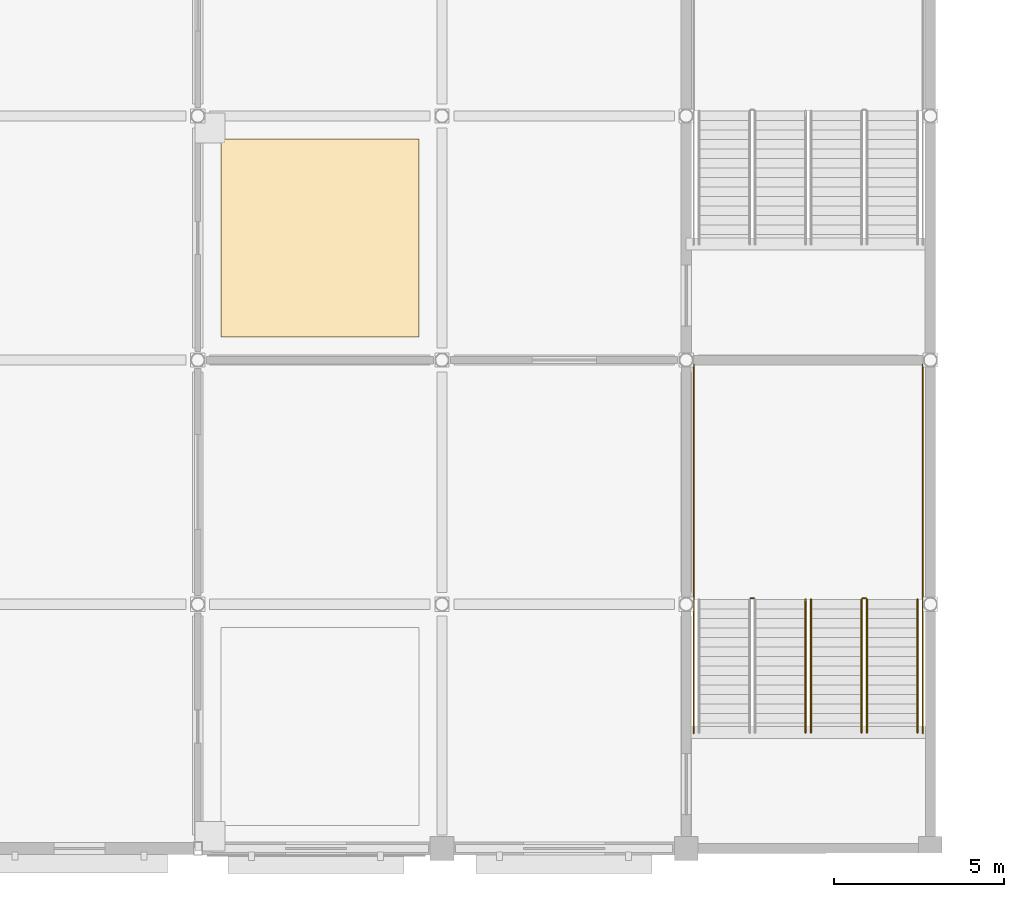
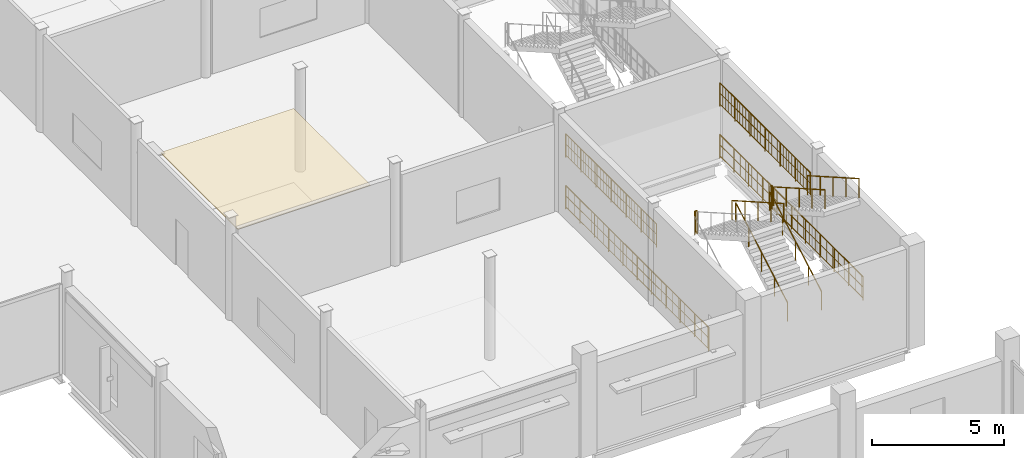
# One storey, part 118 of 120: 11 railings, 1 covering.
"""IFC4 building model written with IfcOpenShell, lengths in metres."""

from ifc_helpers import new_model, si_unit, direction, frame, origin, origin_2d, place, context, subcontext, project, spatial, polyline, circle, outline, extrude, material, layer, layer_set, type_object, element, save


model = new_model("IFC4")

# Units and contexts
model_context = context("Model", 3, precision=1e-05, world=origin(), true_north=direction((0.0, 1.0)))
body_context = subcontext(model_context, "Body", "Model", "MODEL_VIEW")
ifc_project = project(units=[si_unit("LENGTHUNIT", "METRE"), si_unit("AREAUNIT", "SQUARE_METRE"), si_unit("VOLUMEUNIT", "CUBIC_METRE"), si_unit("PLANEANGLEUNIT", "RADIAN"), si_unit("MASSUNIT", "GRAM", prefix="KILO")], contexts=[model_context])

# Site, building, storey
site_placement = place(None, origin())
site = spatial("IfcSite", under=ifc_project, at=site_placement, CompositionType="ELEMENT")
building_placement = place(site_placement, origin())
building = spatial("IfcBuilding", under=site, at=building_placement, Name="Vesperath Aquatics Centre", CompositionType="ELEMENT")
storey_placement = place(building_placement, frame((0.0, 0.0, 10.199951171875)))
storey = spatial("IfcBuildingStorey", under=building, at=storey_placement, Name="L02", CompositionType="ELEMENT", Elevation=10.199951171875)

# Covering
ifc_material_1 = material(Name="Perforated moisture-resistant acoustic mineral-fibre ceiling", Category="gypsum")
ifc_layer = layer(ifc_material_1, 0.044921875)
ifc_layer_set = layer_set([ifc_layer], Name="Perforated moisture-resistant acoustic mineral-fibre ceiling")
covering_type = type_object("IfcCoveringType", Name="CV-CLG01", PredefinedType="CEILING", material=ifc_layer_set)
covering_placement = place(storey_placement, frame((0.0, 0.0, 3.425048828125)))
element("IfcCovering", 1, at=covering_placement, inside=storey, type_object=covering_type, Name="Acoustic Suspended Ceiling CLG1 L02_CLUB_2", PredefinedType="CEILING", context=body_context, shape_type="SweptSolid", body=[
    extrude(outline(polyline([(151.8798828125, 65.47998046875), (157.719970703125, 65.47998046875), (157.719970703125, 71.320068359375), (151.8798828125, 71.320068359375), (151.8798828125, 65.47998046875)])), origin(), (0.0, 0.0, 1.0), 0.044921875),
])

# Railings
ifc_material_2 = material(Name="Powder-coated galvanized steel safety guard", Category="steel")
railing_type_1 = type_object("IfcRailingType", Name="RL-GRD01", PredefinedType="GUARDRAIL", material=ifc_material_2)
railing_1_placement = place(storey_placement, frame((167.5, 57.780029296875, 2.400146484375)))
element("IfcRailing", 2, at=railing_1_placement, inside=storey, type_object=railing_type_1, Name="Stair ST12A Half-Landing Slot Guard GR02 L02", PredefinedType="GUARDRAIL", context=body_context, shape_type="SweptSolid", body=[
    extrude(circle(Radius=0.02392578125, at=origin_2d()), frame((0.0, 0.0, 1.0859375), z_axis=(1.0, 0.0, 0.0), x_axis=(0.0, 1.0, 0.0)), (0.0, 0.0, 1.0), 0.10009765625),
    extrude(circle(Radius=0.01611328125, at=origin_2d()), frame((0.0, 0.0, 0.10009765625), z_axis=(1.0, 0.0, 0.0), x_axis=(0.0, 1.0, 0.0)), (0.0, 0.0, 1.0), 0.10009765625),
    extrude(circle(Radius=0.01611328125, at=origin_2d()), frame((0.0, 0.0, 0.610595703125), z_axis=(1.0, 0.0, 0.0), x_axis=(0.0, 1.0, 0.0)), (0.0, 0.0, 1.0), 0.10009765625),
    extrude(circle(Radius=0.009033203125, at=origin_2d()), frame((0.050048828125, 0.0, 0.10009765625)), (0.0, 0.0, 1.0), 0.9619140625),
    extrude(circle(Radius=0.02197265625, at=origin_2d()), origin(), (0.0, 0.0, 1.0), 1.0859375),
    extrude(circle(Radius=0.02197265625, at=origin_2d()), frame((0.10009765625, 0.0, 0.0)), (0.0, 0.0, 1.0), 1.0859375),
])
railing_2_placement = place(storey_placement, frame((165.820068359375, 57.780029296875, 2.400146484375)))
element("IfcRailing", 3, at=railing_2_placement, inside=storey, type_object=railing_type_1, Name="Stair ST12A Half-Landing Wall Guard GR02 L02", PredefinedType="GUARDRAIL", context=body_context, shape_type="SweptSolid", body=[
    extrude(circle(Radius=0.02392578125, at=origin_2d()), frame((0.0, 0.0, 1.0859375), z_axis=(0.0, 1.0, 0.0), x_axis=(-1.0, 0.0, 0.0)), (0.0, 0.0, 1.0), 6.889892578125),
    extrude(circle(Radius=0.01611328125, at=origin_2d()), frame((0.0, 0.0, 0.10009765625), z_axis=(0.0, 1.0, 0.0), x_axis=(-1.0, 0.0, 0.0)), (0.0, 0.0, 1.0), 6.889892578125),
    extrude(circle(Radius=0.01611328125, at=origin_2d()), frame((0.0, 0.0, 0.610595703125), z_axis=(0.0, 1.0, 0.0), x_axis=(-1.0, 0.0, 0.0)), (0.0, 0.0, 1.0), 6.889892578125),
    extrude(circle(Radius=0.009033203125, at=origin_2d()), frame((0.0, 0.109375, 0.10009765625)), (0.0, 0.0, 1.0), 0.9619140625),
    extrude(circle(Radius=0.009033203125, at=origin_2d()), frame((0.0, 0.328125, 0.10009765625)), (0.0, 0.0, 1.0), 0.9619140625),
    extrude(circle(Radius=0.009033203125, at=origin_2d()), frame((0.0, 0.546875, 0.10009765625)), (0.0, 0.0, 1.0), 0.9619140625),
    extrude(circle(Radius=0.009033203125, at=origin_2d()), frame((0.0, 0.765625, 0.10009765625)), (0.0, 0.0, 1.0), 0.9619140625),
    extrude(circle(Radius=0.009033203125, at=origin_2d()), frame((0.0, 0.984375, 0.10009765625)), (0.0, 0.0, 1.0), 0.9619140625),
    extrude(circle(Radius=0.009033203125, at=origin_2d()), frame((0.0, 1.202880859375, 0.10009765625)), (0.0, 0.0, 1.0), 0.9619140625),
    extrude(circle(Radius=0.009033203125, at=origin_2d()), frame((0.0, 1.421630859375, 0.10009765625)), (0.0, 0.0, 1.0), 0.9619140625),
    extrude(circle(Radius=0.009033203125, at=origin_2d()), frame((0.0, 1.640380859375, 0.10009765625)), (0.0, 0.0, 1.0), 0.9619140625),
    extrude(circle(Radius=0.009033203125, at=origin_2d()), frame((0.0, 1.859130859375, 0.10009765625)), (0.0, 0.0, 1.0), 0.9619140625),
    extrude(circle(Radius=0.009033203125, at=origin_2d()), frame((0.0, 2.077880859375, 0.10009765625)), (0.0, 0.0, 1.0), 0.9619140625),
    extrude(circle(Radius=0.009033203125, at=origin_2d()), frame((0.0, 2.296630859375, 0.10009765625)), (0.0, 0.0, 1.0), 0.9619140625),
    extrude(circle(Radius=0.009033203125, at=origin_2d()), frame((0.0, 2.515380859375, 0.10009765625)), (0.0, 0.0, 1.0), 0.9619140625),
    extrude(circle(Radius=0.009033203125, at=origin_2d()), frame((0.0, 2.734130859375, 0.10009765625)), (0.0, 0.0, 1.0), 0.9619140625),
    extrude(circle(Radius=0.009033203125, at=origin_2d()), frame((0.0, 2.952880859375, 0.10009765625)), (0.0, 0.0, 1.0), 0.9619140625),
    extrude(circle(Radius=0.009033203125, at=origin_2d()), frame((0.0, 3.171630859375, 0.10009765625)), (0.0, 0.0, 1.0), 0.9619140625),
    extrude(circle(Radius=0.009033203125, at=origin_2d()), frame((0.0, 3.390380859375, 0.10009765625)), (0.0, 0.0, 1.0), 0.9619140625),
    extrude(circle(Radius=0.009033203125, at=origin_2d()), frame((0.0, 3.60888671875, 0.10009765625)), (0.0, 0.0, 1.0), 0.9619140625),
    extrude(circle(Radius=0.009033203125, at=origin_2d()), frame((0.0, 3.82763671875, 0.10009765625)), (0.0, 0.0, 1.0), 0.9619140625),
    extrude(circle(Radius=0.009033203125, at=origin_2d()), frame((0.0, 4.04638671875, 0.10009765625)), (0.0, 0.0, 1.0), 0.9619140625),
    extrude(circle(Radius=0.009033203125, at=origin_2d()), frame((0.0, 4.26513671875, 0.10009765625)), (0.0, 0.0, 1.0), 0.9619140625),
    extrude(circle(Radius=0.009033203125, at=origin_2d()), frame((0.0, 4.48388671875, 0.10009765625)), (0.0, 0.0, 1.0), 0.9619140625),
    extrude(circle(Radius=0.009033203125, at=origin_2d()), frame((0.0, 4.70263671875, 0.10009765625)), (0.0, 0.0, 1.0), 0.9619140625),
    extrude(circle(Radius=0.009033203125, at=origin_2d()), frame((0.0, 4.92138671875, 0.10009765625)), (0.0, 0.0, 1.0), 0.9619140625),
    extrude(circle(Radius=0.009033203125, at=origin_2d()), frame((0.0, 5.14013671875, 0.10009765625)), (0.0, 0.0, 1.0), 0.9619140625),
    extrude(circle(Radius=0.009033203125, at=origin_2d()), frame((0.0, 5.35888671875, 0.10009765625)), (0.0, 0.0, 1.0), 0.9619140625),
    extrude(circle(Radius=0.009033203125, at=origin_2d()), frame((0.0, 5.57763671875, 0.10009765625)), (0.0, 0.0, 1.0), 0.9619140625),
    extrude(circle(Radius=0.009033203125, at=origin_2d()), frame((0.0, 5.796142578125, 0.10009765625)), (0.0, 0.0, 1.0), 0.9619140625),
    extrude(circle(Radius=0.009033203125, at=origin_2d()), frame((0.0, 6.014892578125, 0.10009765625)), (0.0, 0.0, 1.0), 0.9619140625),
    extrude(circle(Radius=0.009033203125, at=origin_2d()), frame((0.0, 6.233642578125, 0.10009765625)), (0.0, 0.0, 1.0), 0.9619140625),
    extrude(circle(Radius=0.009033203125, at=origin_2d()), frame((0.0, 6.452392578125, 0.10009765625)), (0.0, 0.0, 1.0), 0.9619140625),
    extrude(circle(Radius=0.009033203125, at=origin_2d()), frame((0.0, 6.671142578125, 0.10009765625)), (0.0, 0.0, 1.0), 0.9619140625),
    extrude(circle(Radius=0.02197265625, at=origin_2d()), origin(), (0.0, 0.0, 1.0), 1.0859375),
    extrude(circle(Radius=0.02197265625, at=origin_2d()), frame((0.0, 1.1484375, 0.0)), (0.0, 0.0, 1.0), 1.0859375),
    extrude(circle(Radius=0.02197265625, at=origin_2d()), frame((0.0, 2.296630859375, 0.0)), (0.0, 0.0, 1.0), 1.0859375),
    extrude(circle(Radius=0.02197265625, at=origin_2d()), frame((0.0, 3.44482421875, 0.0)), (0.0, 0.0, 1.0), 1.0859375),
    extrude(circle(Radius=0.02197265625, at=origin_2d()), frame((0.0, 4.59326171875, 0.0)), (0.0, 0.0, 1.0), 1.0859375),
    extrude(circle(Radius=0.02197265625, at=origin_2d()), frame((0.0, 5.74169921875, 0.0)), (0.0, 0.0, 1.0), 1.0859375),
    extrude(circle(Radius=0.02197265625, at=origin_2d()), frame((0.0, 6.889892578125, 0.0)), (0.0, 0.0, 1.0), 1.0859375),
])
railing_3_placement = place(storey_placement, frame((165.820068359375, 53.800048828125, 0.0)))
element("IfcRailing", 4, at=railing_3_placement, inside=storey, type_object=railing_type_1, Name="Stair ST12A Shaft Side Guard GR02 L02", PredefinedType="GUARDRAIL", context=body_context, shape_type="SweptSolid", body=[
    extrude(circle(Radius=0.02392578125, at=origin_2d()), frame((0.0, 0.0, 1.0859375), z_axis=(0.0, 1.0, 0.0), x_axis=(-1.0, 0.0, 0.0)), (0.0, 0.0, 1.0), 10.869873046875),
    extrude(circle(Radius=0.01611328125, at=origin_2d()), frame((0.0, 0.0, 0.10009765625), z_axis=(0.0, 1.0, 0.0), x_axis=(-1.0, 0.0, 0.0)), (0.0, 0.0, 1.0), 10.869873046875),
    extrude(circle(Radius=0.01611328125, at=origin_2d()), frame((0.0, 0.0, 0.610595703125), z_axis=(0.0, 1.0, 0.0), x_axis=(-1.0, 0.0, 0.0)), (0.0, 0.0, 1.0), 10.869873046875),
    extrude(circle(Radius=0.009033203125, at=origin_2d()), frame((0.0, 0.10986328125, 0.10009765625)), (0.0, 0.0, 1.0), 0.9619140625),
    extrude(circle(Radius=0.009033203125, at=origin_2d()), frame((0.0, 0.549072265625, 0.10009765625)), (0.0, 0.0, 1.0), 0.9619140625),
    extrude(circle(Radius=0.009033203125, at=origin_2d()), frame((0.0, 0.98828125, 0.10009765625)), (0.0, 0.0, 1.0), 0.9619140625),
    extrude(circle(Radius=0.009033203125, at=origin_2d()), frame((0.0, 1.42724609375, 0.10009765625)), (0.0, 0.0, 1.0), 0.9619140625),
    extrude(circle(Radius=0.009033203125, at=origin_2d()), frame((0.0, 1.866455078125, 0.10009765625)), (0.0, 0.0, 1.0), 0.9619140625),
    extrude(circle(Radius=0.009033203125, at=origin_2d()), frame((0.0, 2.3056640625, 0.10009765625)), (0.0, 0.0, 1.0), 0.9619140625),
    extrude(circle(Radius=0.009033203125, at=origin_2d()), frame((0.0, 2.744873046875, 0.10009765625)), (0.0, 0.0, 1.0), 0.9619140625),
    extrude(circle(Radius=0.009033203125, at=origin_2d()), frame((0.0, 3.18408203125, 0.10009765625)), (0.0, 0.0, 1.0), 0.9619140625),
    extrude(circle(Radius=0.009033203125, at=origin_2d()), frame((0.0, 3.623291015625, 0.10009765625)), (0.0, 0.0, 1.0), 0.9619140625),
    extrude(circle(Radius=0.009033203125, at=origin_2d()), frame((0.0, 4.0625, 0.10009765625)), (0.0, 0.0, 1.0), 0.9619140625),
    extrude(circle(Radius=0.009033203125, at=origin_2d()), frame((0.0, 4.501708984375, 0.10009765625)), (0.0, 0.0, 1.0), 0.9619140625),
    extrude(circle(Radius=0.009033203125, at=origin_2d()), frame((0.0, 4.94091796875, 0.10009765625)), (0.0, 0.0, 1.0), 0.9619140625),
    extrude(circle(Radius=0.009033203125, at=origin_2d()), frame((0.0, 5.380126953125, 0.10009765625)), (0.0, 0.0, 1.0), 0.9619140625),
    extrude(circle(Radius=0.009033203125, at=origin_2d()), frame((0.0, 5.8193359375, 0.10009765625)), (0.0, 0.0, 1.0), 0.9619140625),
    extrude(circle(Radius=0.009033203125, at=origin_2d()), frame((0.0, 6.25830078125, 0.10009765625)), (0.0, 0.0, 1.0), 0.9619140625),
    extrude(circle(Radius=0.009033203125, at=origin_2d()), frame((0.0, 6.697509765625, 0.10009765625)), (0.0, 0.0, 1.0), 0.9619140625),
    extrude(circle(Radius=0.009033203125, at=origin_2d()), frame((0.0, 7.13671875, 0.10009765625)), (0.0, 0.0, 1.0), 0.9619140625),
    extrude(circle(Radius=0.009033203125, at=origin_2d()), frame((0.0, 7.575927734375, 0.10009765625)), (0.0, 0.0, 1.0), 0.9619140625),
    extrude(circle(Radius=0.009033203125, at=origin_2d()), frame((0.0, 8.01513671875, 0.10009765625)), (0.0, 0.0, 1.0), 0.9619140625),
    extrude(circle(Radius=0.009033203125, at=origin_2d()), frame((0.0, 8.454345703125, 0.10009765625)), (0.0, 0.0, 1.0), 0.9619140625),
    extrude(circle(Radius=0.009033203125, at=origin_2d()), frame((0.0, 8.8935546875, 0.10009765625)), (0.0, 0.0, 1.0), 0.9619140625),
    extrude(circle(Radius=0.009033203125, at=origin_2d()), frame((0.0, 9.332763671875, 0.10009765625)), (0.0, 0.0, 1.0), 0.9619140625),
    extrude(circle(Radius=0.009033203125, at=origin_2d()), frame((0.0, 9.77197265625, 0.10009765625)), (0.0, 0.0, 1.0), 0.9619140625),
    extrude(circle(Radius=0.009033203125, at=origin_2d()), frame((0.0, 10.211181640625, 0.10009765625)), (0.0, 0.0, 1.0), 0.9619140625),
    extrude(circle(Radius=0.009033203125, at=origin_2d()), frame((0.0, 10.650390625, 0.10009765625)), (0.0, 0.0, 1.0), 0.9619140625),
    extrude(circle(Radius=0.02197265625, at=origin_2d()), origin(), (0.0, 0.0, 1.0), 1.0859375),
    extrude(circle(Radius=0.02197265625, at=origin_2d()), frame((0.0, 1.0869140625, 0.0)), (0.0, 0.0, 1.0), 1.0859375),
    extrude(circle(Radius=0.02197265625, at=origin_2d()), frame((0.0, 2.174072265625, 0.0)), (0.0, 0.0, 1.0), 1.0859375),
    extrude(circle(Radius=0.02197265625, at=origin_2d()), frame((0.0, 3.260986328125, 0.0)), (0.0, 0.0, 1.0), 1.0859375),
    extrude(circle(Radius=0.02197265625, at=origin_2d()), frame((0.0, 4.347900390625, 0.0)), (0.0, 0.0, 1.0), 1.0859375),
    extrude(circle(Radius=0.02197265625, at=origin_2d()), frame((0.0, 5.43505859375, 0.0)), (0.0, 0.0, 1.0), 1.0859375),
    extrude(circle(Radius=0.02197265625, at=origin_2d()), frame((0.0, 6.52197265625, 0.0)), (0.0, 0.0, 1.0), 1.0859375),
    extrude(circle(Radius=0.02197265625, at=origin_2d()), frame((0.0, 7.60888671875, 0.0)), (0.0, 0.0, 1.0), 1.0859375),
    extrude(circle(Radius=0.02197265625, at=origin_2d()), frame((0.0, 8.69580078125, 0.0)), (0.0, 0.0, 1.0), 1.0859375),
    extrude(circle(Radius=0.02197265625, at=origin_2d()), frame((0.0, 9.782958984375, 0.0)), (0.0, 0.0, 1.0), 1.0859375),
    extrude(circle(Radius=0.02197265625, at=origin_2d()), frame((0.0, 10.869873046875, 0.0)), (0.0, 0.0, 1.0), 1.0859375),
])
railing_4_placement = place(storey_placement, frame((170.800048828125, 57.780029296875, 2.400146484375)))
element("IfcRailing", 5, at=railing_4_placement, inside=storey, type_object=railing_type_1, Name="Stair ST12B Half-Landing Slot Guard GR02 L02", PredefinedType="GUARDRAIL", context=body_context, shape_type="SweptSolid", body=[
    extrude(circle(Radius=0.02392578125, at=origin_2d()), frame((0.0, 0.0, 1.0859375), z_axis=(1.0, 0.0, 0.0), x_axis=(0.0, 1.0, 0.0)), (0.0, 0.0, 1.0), 0.099853515625),
    extrude(circle(Radius=0.01611328125, at=origin_2d()), frame((0.0, 0.0, 0.10009765625), z_axis=(1.0, 0.0, 0.0), x_axis=(0.0, 1.0, 0.0)), (0.0, 0.0, 1.0), 0.099853515625),
    extrude(circle(Radius=0.01611328125, at=origin_2d()), frame((0.0, 0.0, 0.610595703125), z_axis=(1.0, 0.0, 0.0), x_axis=(0.0, 1.0, 0.0)), (0.0, 0.0, 1.0), 0.099853515625),
    extrude(circle(Radius=0.009033203125, at=origin_2d()), frame((0.0498046875, 0.0, 0.10009765625)), (0.0, 0.0, 1.0), 0.9619140625),
    extrude(circle(Radius=0.02197265625, at=origin_2d()), origin(), (0.0, 0.0, 1.0), 1.0859375),
    extrude(circle(Radius=0.02197265625, at=origin_2d()), frame((0.099853515625, 0.0, 0.0)), (0.0, 0.0, 1.0), 1.0859375),
])
railing_5_placement = place(storey_placement, frame((172.580078125, 57.780029296875, 2.400146484375)))
element("IfcRailing", 6, at=railing_5_placement, inside=storey, type_object=railing_type_1, Name="Stair ST12B Half-Landing Wall Guard GR02 L02", PredefinedType="GUARDRAIL", context=body_context, shape_type="SweptSolid", body=[
    extrude(circle(Radius=0.02392578125, at=origin_2d()), frame((0.0, 0.0, 1.0859375), z_axis=(0.0, 1.0, 0.0), x_axis=(-1.0, 0.0, 0.0)), (0.0, 0.0, 1.0), 6.889892578125),
    extrude(circle(Radius=0.01611328125, at=origin_2d()), frame((0.0, 0.0, 0.10009765625), z_axis=(0.0, 1.0, 0.0), x_axis=(-1.0, 0.0, 0.0)), (0.0, 0.0, 1.0), 6.889892578125),
    extrude(circle(Radius=0.01611328125, at=origin_2d()), frame((0.0, 0.0, 0.610595703125), z_axis=(0.0, 1.0, 0.0), x_axis=(-1.0, 0.0, 0.0)), (0.0, 0.0, 1.0), 6.889892578125),
    extrude(circle(Radius=0.009033203125, at=origin_2d()), frame((0.0, 0.109375, 0.10009765625)), (0.0, 0.0, 1.0), 0.9619140625),
    extrude(circle(Radius=0.009033203125, at=origin_2d()), frame((0.0, 0.328125, 0.10009765625)), (0.0, 0.0, 1.0), 0.9619140625),
    extrude(circle(Radius=0.009033203125, at=origin_2d()), frame((0.0, 0.546875, 0.10009765625)), (0.0, 0.0, 1.0), 0.9619140625),
    extrude(circle(Radius=0.009033203125, at=origin_2d()), frame((0.0, 0.765625, 0.10009765625)), (0.0, 0.0, 1.0), 0.9619140625),
    extrude(circle(Radius=0.009033203125, at=origin_2d()), frame((0.0, 0.984375, 0.10009765625)), (0.0, 0.0, 1.0), 0.9619140625),
    extrude(circle(Radius=0.009033203125, at=origin_2d()), frame((0.0, 1.202880859375, 0.10009765625)), (0.0, 0.0, 1.0), 0.9619140625),
    extrude(circle(Radius=0.009033203125, at=origin_2d()), frame((0.0, 1.421630859375, 0.10009765625)), (0.0, 0.0, 1.0), 0.9619140625),
    extrude(circle(Radius=0.009033203125, at=origin_2d()), frame((0.0, 1.640380859375, 0.10009765625)), (0.0, 0.0, 1.0), 0.9619140625),
    extrude(circle(Radius=0.009033203125, at=origin_2d()), frame((0.0, 1.859130859375, 0.10009765625)), (0.0, 0.0, 1.0), 0.9619140625),
    extrude(circle(Radius=0.009033203125, at=origin_2d()), frame((0.0, 2.077880859375, 0.10009765625)), (0.0, 0.0, 1.0), 0.9619140625),
    extrude(circle(Radius=0.009033203125, at=origin_2d()), frame((0.0, 2.296630859375, 0.10009765625)), (0.0, 0.0, 1.0), 0.9619140625),
    extrude(circle(Radius=0.009033203125, at=origin_2d()), frame((0.0, 2.515380859375, 0.10009765625)), (0.0, 0.0, 1.0), 0.9619140625),
    extrude(circle(Radius=0.009033203125, at=origin_2d()), frame((0.0, 2.734130859375, 0.10009765625)), (0.0, 0.0, 1.0), 0.9619140625),
    extrude(circle(Radius=0.009033203125, at=origin_2d()), frame((0.0, 2.952880859375, 0.10009765625)), (0.0, 0.0, 1.0), 0.9619140625),
    extrude(circle(Radius=0.009033203125, at=origin_2d()), frame((0.0, 3.171630859375, 0.10009765625)), (0.0, 0.0, 1.0), 0.9619140625),
    extrude(circle(Radius=0.009033203125, at=origin_2d()), frame((0.0, 3.390380859375, 0.10009765625)), (0.0, 0.0, 1.0), 0.9619140625),
    extrude(circle(Radius=0.009033203125, at=origin_2d()), frame((0.0, 3.60888671875, 0.10009765625)), (0.0, 0.0, 1.0), 0.9619140625),
    extrude(circle(Radius=0.009033203125, at=origin_2d()), frame((0.0, 3.82763671875, 0.10009765625)), (0.0, 0.0, 1.0), 0.9619140625),
    extrude(circle(Radius=0.009033203125, at=origin_2d()), frame((0.0, 4.04638671875, 0.10009765625)), (0.0, 0.0, 1.0), 0.9619140625),
    extrude(circle(Radius=0.009033203125, at=origin_2d()), frame((0.0, 4.26513671875, 0.10009765625)), (0.0, 0.0, 1.0), 0.9619140625),
    extrude(circle(Radius=0.009033203125, at=origin_2d()), frame((0.0, 4.48388671875, 0.10009765625)), (0.0, 0.0, 1.0), 0.9619140625),
    extrude(circle(Radius=0.009033203125, at=origin_2d()), frame((0.0, 4.70263671875, 0.10009765625)), (0.0, 0.0, 1.0), 0.9619140625),
    extrude(circle(Radius=0.009033203125, at=origin_2d()), frame((0.0, 4.92138671875, 0.10009765625)), (0.0, 0.0, 1.0), 0.9619140625),
    extrude(circle(Radius=0.009033203125, at=origin_2d()), frame((0.0, 5.14013671875, 0.10009765625)), (0.0, 0.0, 1.0), 0.9619140625),
    extrude(circle(Radius=0.009033203125, at=origin_2d()), frame((0.0, 5.35888671875, 0.10009765625)), (0.0, 0.0, 1.0), 0.9619140625),
    extrude(circle(Radius=0.009033203125, at=origin_2d()), frame((0.0, 5.57763671875, 0.10009765625)), (0.0, 0.0, 1.0), 0.9619140625),
    extrude(circle(Radius=0.009033203125, at=origin_2d()), frame((0.0, 5.796142578125, 0.10009765625)), (0.0, 0.0, 1.0), 0.9619140625),
    extrude(circle(Radius=0.009033203125, at=origin_2d()), frame((0.0, 6.014892578125, 0.10009765625)), (0.0, 0.0, 1.0), 0.9619140625),
    extrude(circle(Radius=0.009033203125, at=origin_2d()), frame((0.0, 6.233642578125, 0.10009765625)), (0.0, 0.0, 1.0), 0.9619140625),
    extrude(circle(Radius=0.009033203125, at=origin_2d()), frame((0.0, 6.452392578125, 0.10009765625)), (0.0, 0.0, 1.0), 0.9619140625),
    extrude(circle(Radius=0.009033203125, at=origin_2d()), frame((0.0, 6.671142578125, 0.10009765625)), (0.0, 0.0, 1.0), 0.9619140625),
    extrude(circle(Radius=0.02197265625, at=origin_2d()), origin(), (0.0, 0.0, 1.0), 1.0859375),
    extrude(circle(Radius=0.02197265625, at=origin_2d()), frame((0.0, 1.1484375, 0.0)), (0.0, 0.0, 1.0), 1.0859375),
    extrude(circle(Radius=0.02197265625, at=origin_2d()), frame((0.0, 2.296630859375, 0.0)), (0.0, 0.0, 1.0), 1.0859375),
    extrude(circle(Radius=0.02197265625, at=origin_2d()), frame((0.0, 3.44482421875, 0.0)), (0.0, 0.0, 1.0), 1.0859375),
    extrude(circle(Radius=0.02197265625, at=origin_2d()), frame((0.0, 4.59326171875, 0.0)), (0.0, 0.0, 1.0), 1.0859375),
    extrude(circle(Radius=0.02197265625, at=origin_2d()), frame((0.0, 5.74169921875, 0.0)), (0.0, 0.0, 1.0), 1.0859375),
    extrude(circle(Radius=0.02197265625, at=origin_2d()), frame((0.0, 6.889892578125, 0.0)), (0.0, 0.0, 1.0), 1.0859375),
])
railing_6_placement = place(storey_placement, frame((172.580078125, 53.800048828125, 0.0)))
element("IfcRailing", 7, at=railing_6_placement, inside=storey, type_object=railing_type_1, Name="Stair ST12B Shaft Side Guard GR02 L02", PredefinedType="GUARDRAIL", context=body_context, shape_type="SweptSolid", body=[
    extrude(circle(Radius=0.02392578125, at=origin_2d()), frame((0.0, 0.0, 1.0859375), z_axis=(0.0, 1.0, 0.0), x_axis=(-1.0, 0.0, 0.0)), (0.0, 0.0, 1.0), 10.869873046875),
    extrude(circle(Radius=0.01611328125, at=origin_2d()), frame((0.0, 0.0, 0.10009765625), z_axis=(0.0, 1.0, 0.0), x_axis=(-1.0, 0.0, 0.0)), (0.0, 0.0, 1.0), 10.869873046875),
    extrude(circle(Radius=0.01611328125, at=origin_2d()), frame((0.0, 0.0, 0.610595703125), z_axis=(0.0, 1.0, 0.0), x_axis=(-1.0, 0.0, 0.0)), (0.0, 0.0, 1.0), 10.869873046875),
    extrude(circle(Radius=0.009033203125, at=origin_2d()), frame((0.0, 0.10986328125, 0.10009765625)), (0.0, 0.0, 1.0), 0.9619140625),
    extrude(circle(Radius=0.009033203125, at=origin_2d()), frame((0.0, 0.549072265625, 0.10009765625)), (0.0, 0.0, 1.0), 0.9619140625),
    extrude(circle(Radius=0.009033203125, at=origin_2d()), frame((0.0, 0.98828125, 0.10009765625)), (0.0, 0.0, 1.0), 0.9619140625),
    extrude(circle(Radius=0.009033203125, at=origin_2d()), frame((0.0, 1.42724609375, 0.10009765625)), (0.0, 0.0, 1.0), 0.9619140625),
    extrude(circle(Radius=0.009033203125, at=origin_2d()), frame((0.0, 1.866455078125, 0.10009765625)), (0.0, 0.0, 1.0), 0.9619140625),
    extrude(circle(Radius=0.009033203125, at=origin_2d()), frame((0.0, 2.3056640625, 0.10009765625)), (0.0, 0.0, 1.0), 0.9619140625),
    extrude(circle(Radius=0.009033203125, at=origin_2d()), frame((0.0, 2.744873046875, 0.10009765625)), (0.0, 0.0, 1.0), 0.9619140625),
    extrude(circle(Radius=0.009033203125, at=origin_2d()), frame((0.0, 3.18408203125, 0.10009765625)), (0.0, 0.0, 1.0), 0.9619140625),
    extrude(circle(Radius=0.009033203125, at=origin_2d()), frame((0.0, 3.623291015625, 0.10009765625)), (0.0, 0.0, 1.0), 0.9619140625),
    extrude(circle(Radius=0.009033203125, at=origin_2d()), frame((0.0, 4.0625, 0.10009765625)), (0.0, 0.0, 1.0), 0.9619140625),
    extrude(circle(Radius=0.009033203125, at=origin_2d()), frame((0.0, 4.501708984375, 0.10009765625)), (0.0, 0.0, 1.0), 0.9619140625),
    extrude(circle(Radius=0.009033203125, at=origin_2d()), frame((0.0, 4.94091796875, 0.10009765625)), (0.0, 0.0, 1.0), 0.9619140625),
    extrude(circle(Radius=0.009033203125, at=origin_2d()), frame((0.0, 5.380126953125, 0.10009765625)), (0.0, 0.0, 1.0), 0.9619140625),
    extrude(circle(Radius=0.009033203125, at=origin_2d()), frame((0.0, 5.8193359375, 0.10009765625)), (0.0, 0.0, 1.0), 0.9619140625),
    extrude(circle(Radius=0.009033203125, at=origin_2d()), frame((0.0, 6.25830078125, 0.10009765625)), (0.0, 0.0, 1.0), 0.9619140625),
    extrude(circle(Radius=0.009033203125, at=origin_2d()), frame((0.0, 6.697509765625, 0.10009765625)), (0.0, 0.0, 1.0), 0.9619140625),
    extrude(circle(Radius=0.009033203125, at=origin_2d()), frame((0.0, 7.13671875, 0.10009765625)), (0.0, 0.0, 1.0), 0.9619140625),
    extrude(circle(Radius=0.009033203125, at=origin_2d()), frame((0.0, 7.575927734375, 0.10009765625)), (0.0, 0.0, 1.0), 0.9619140625),
    extrude(circle(Radius=0.009033203125, at=origin_2d()), frame((0.0, 8.01513671875, 0.10009765625)), (0.0, 0.0, 1.0), 0.9619140625),
    extrude(circle(Radius=0.009033203125, at=origin_2d()), frame((0.0, 8.454345703125, 0.10009765625)), (0.0, 0.0, 1.0), 0.9619140625),
    extrude(circle(Radius=0.009033203125, at=origin_2d()), frame((0.0, 8.8935546875, 0.10009765625)), (0.0, 0.0, 1.0), 0.9619140625),
    extrude(circle(Radius=0.009033203125, at=origin_2d()), frame((0.0, 9.332763671875, 0.10009765625)), (0.0, 0.0, 1.0), 0.9619140625),
    extrude(circle(Radius=0.009033203125, at=origin_2d()), frame((0.0, 9.77197265625, 0.10009765625)), (0.0, 0.0, 1.0), 0.9619140625),
    extrude(circle(Radius=0.009033203125, at=origin_2d()), frame((0.0, 10.211181640625, 0.10009765625)), (0.0, 0.0, 1.0), 0.9619140625),
    extrude(circle(Radius=0.009033203125, at=origin_2d()), frame((0.0, 10.650390625, 0.10009765625)), (0.0, 0.0, 1.0), 0.9619140625),
    extrude(circle(Radius=0.02197265625, at=origin_2d()), origin(), (0.0, 0.0, 1.0), 1.0859375),
    extrude(circle(Radius=0.02197265625, at=origin_2d()), frame((0.0, 1.0869140625, 0.0)), (0.0, 0.0, 1.0), 1.0859375),
    extrude(circle(Radius=0.02197265625, at=origin_2d()), frame((0.0, 2.174072265625, 0.0)), (0.0, 0.0, 1.0), 1.0859375),
    extrude(circle(Radius=0.02197265625, at=origin_2d()), frame((0.0, 3.260986328125, 0.0)), (0.0, 0.0, 1.0), 1.0859375),
    extrude(circle(Radius=0.02197265625, at=origin_2d()), frame((0.0, 4.347900390625, 0.0)), (0.0, 0.0, 1.0), 1.0859375),
    extrude(circle(Radius=0.02197265625, at=origin_2d()), frame((0.0, 5.43505859375, 0.0)), (0.0, 0.0, 1.0), 1.0859375),
    extrude(circle(Radius=0.02197265625, at=origin_2d()), frame((0.0, 6.52197265625, 0.0)), (0.0, 0.0, 1.0), 1.0859375),
    extrude(circle(Radius=0.02197265625, at=origin_2d()), frame((0.0, 7.60888671875, 0.0)), (0.0, 0.0, 1.0), 1.0859375),
    extrude(circle(Radius=0.02197265625, at=origin_2d()), frame((0.0, 8.69580078125, 0.0)), (0.0, 0.0, 1.0), 1.0859375),
    extrude(circle(Radius=0.02197265625, at=origin_2d()), frame((0.0, 9.782958984375, 0.0)), (0.0, 0.0, 1.0), 1.0859375),
    extrude(circle(Radius=0.02197265625, at=origin_2d()), frame((0.0, 10.869873046875, 0.0)), (0.0, 0.0, 1.0), 1.0859375),
])
ifc_material_3 = material(Name="Brushed stainless steel tubular handrail", Category="steel")
railing_type_2 = type_object("IfcRailingType", Name="RL-HND01", PredefinedType="HANDRAIL", material=ifc_material_3)
railing_7_placement = place(storey_placement, frame((169.1201171875, 57.739990234375, 2.56005859375)))
element("IfcRailing", 8, at=railing_7_placement, inside=storey, type_object=railing_type_2, Name="Stair ST12A Flight 2 Handrail HR01 L02", PredefinedType="HANDRAIL", context=body_context, shape_type="SweptSolid", body=[
    extrude(circle(Radius=0.02392578125, at=origin_2d()), frame((0.0, 0.0, 0.8759765625), z_axis=(0.0, -0.868239814368, 0.496144761885), x_axis=(1.0, 0.0, 0.0)), (0.0, 0.0, 1.0), 4.514892578125),
    extrude(circle(Radius=0.02197265625, at=origin_2d()), origin(), (0.0, 0.0, 1.0), 0.8759765625),
    extrude(circle(Radius=0.02197265625, at=origin_2d()), frame((0.0, -0.97998046875, 0.56005859375)), (0.0, 0.0, 1.0), 0.8759765625),
    extrude(circle(Radius=0.02197265625, at=origin_2d()), frame((0.0, -1.9599609375, 1.1201171875)), (0.0, 0.0, 1.0), 0.8759765625),
    extrude(circle(Radius=0.02197265625, at=origin_2d()), frame((0.0, -2.93994140625, 1.679931640625)), (0.0, 0.0, 1.0), 0.8759765625),
    extrude(circle(Radius=0.02197265625, at=origin_2d()), frame((0.0, -3.919921875, 2.239990234375)), (0.0, 0.0, 1.0), 0.8759765625),
])
railing_8_placement = place(storey_placement, frame((170.77001953125, 53.820068359375, 0.16015625)))
element("IfcRailing", 9, at=railing_8_placement, inside=storey, type_object=railing_type_2, Name="Stair ST12B Flight 1 Handrail HR01 L02", PredefinedType="HANDRAIL", context=body_context, shape_type="SweptSolid", body=[
    extrude(circle(Radius=0.02392578125, at=origin_2d()), frame((0.0, 0.0, 0.8759765625), z_axis=(0.0, 0.868239814368, 0.496144761885), x_axis=(-1.0, 0.0, 0.0)), (0.0, 0.0, 1.0), 4.514892578125),
    extrude(circle(Radius=0.02197265625, at=origin_2d()), origin(), (0.0, 0.0, 1.0), 0.8759765625),
    extrude(circle(Radius=0.02197265625, at=origin_2d()), frame((0.0, 0.97998046875, 0.56005859375)), (0.0, 0.0, 1.0), 0.8759765625),
    extrude(circle(Radius=0.02197265625, at=origin_2d()), frame((0.0, 1.9599609375, 1.1201171875)), (0.0, 0.0, 1.0), 0.8759765625),
    extrude(circle(Radius=0.02197265625, at=origin_2d()), frame((0.0, 2.93994140625, 1.679931640625)), (0.0, 0.0, 1.0), 0.8759765625),
    extrude(circle(Radius=0.02197265625, at=origin_2d()), frame((0.0, 3.919921875, 2.239990234375)), (0.0, 0.0, 1.0), 0.8759765625),
])
railing_9_placement = place(storey_placement, frame((170.929931640625, 57.739990234375, 2.56005859375)))
element("IfcRailing", 10, at=railing_9_placement, inside=storey, type_object=railing_type_2, Name="Stair ST12B Flight 2 Handrail HR01 L02", PredefinedType="HANDRAIL", context=body_context, shape_type="SweptSolid", body=[
    extrude(circle(Radius=0.02392578125, at=origin_2d()), frame((0.0, 0.0, 0.8759765625), z_axis=(0.0, -0.868239814368, 0.496144761885), x_axis=(1.0, 0.0, 0.0)), (0.0, 0.0, 1.0), 4.514892578125),
    extrude(circle(Radius=0.02197265625, at=origin_2d()), origin(), (0.0, 0.0, 1.0), 0.8759765625),
    extrude(circle(Radius=0.02197265625, at=origin_2d()), frame((0.0, -0.97998046875, 0.56005859375)), (0.0, 0.0, 1.0), 0.8759765625),
    extrude(circle(Radius=0.02197265625, at=origin_2d()), frame((0.0, -1.9599609375, 1.1201171875)), (0.0, 0.0, 1.0), 0.8759765625),
    extrude(circle(Radius=0.02197265625, at=origin_2d()), frame((0.0, -2.93994140625, 1.679931640625)), (0.0, 0.0, 1.0), 0.8759765625),
    extrude(circle(Radius=0.02197265625, at=origin_2d()), frame((0.0, -3.919921875, 2.239990234375)), (0.0, 0.0, 1.0), 0.8759765625),
])
railing_10_placement = place(storey_placement, frame((169.280029296875, 53.820068359375, 0.16015625)))
element("IfcRailing", 11, at=railing_10_placement, inside=storey, type_object=railing_type_2, Name="Stair ST12B Flight 1 Handrail HR01 L02", PredefinedType="HANDRAIL", context=body_context, shape_type="SweptSolid", body=[
    extrude(circle(Radius=0.02392578125, at=origin_2d()), frame((0.0, 0.0, 0.8759765625), z_axis=(0.0, 0.868239814368, 0.496144761885), x_axis=(-1.0, 0.0, 0.0)), (0.0, 0.0, 1.0), 4.514892578125),
    extrude(circle(Radius=0.02197265625, at=origin_2d()), origin(), (0.0, 0.0, 1.0), 0.8759765625),
    extrude(circle(Radius=0.02197265625, at=origin_2d()), frame((0.0, 0.97998046875, 0.56005859375)), (0.0, 0.0, 1.0), 0.8759765625),
    extrude(circle(Radius=0.02197265625, at=origin_2d()), frame((0.0, 1.9599609375, 1.1201171875)), (0.0, 0.0, 1.0), 0.8759765625),
    extrude(circle(Radius=0.02197265625, at=origin_2d()), frame((0.0, 2.93994140625, 1.679931640625)), (0.0, 0.0, 1.0), 0.8759765625),
    extrude(circle(Radius=0.02197265625, at=origin_2d()), frame((0.0, 3.919921875, 2.239990234375)), (0.0, 0.0, 1.0), 0.8759765625),
])
railing_11_placement = place(storey_placement, frame((172.419921875, 57.739990234375, 2.56005859375)))
element("IfcRailing", 12, at=railing_11_placement, inside=storey, type_object=railing_type_2, Name="Stair ST12B Flight 2 Handrail HR01 L02", PredefinedType="HANDRAIL", context=body_context, shape_type="SweptSolid", body=[
    extrude(circle(Radius=0.02392578125, at=origin_2d()), frame((0.0, 0.0, 0.8759765625), z_axis=(0.0, -0.868239814368, 0.496144761885), x_axis=(1.0, 0.0, 0.0)), (0.0, 0.0, 1.0), 4.514892578125),
    extrude(circle(Radius=0.02197265625, at=origin_2d()), origin(), (0.0, 0.0, 1.0), 0.8759765625),
    extrude(circle(Radius=0.02197265625, at=origin_2d()), frame((0.0, -0.97998046875, 0.56005859375)), (0.0, 0.0, 1.0), 0.8759765625),
    extrude(circle(Radius=0.02197265625, at=origin_2d()), frame((0.0, -1.9599609375, 1.1201171875)), (0.0, 0.0, 1.0), 0.8759765625),
    extrude(circle(Radius=0.02197265625, at=origin_2d()), frame((0.0, -2.93994140625, 1.679931640625)), (0.0, 0.0, 1.0), 0.8759765625),
    extrude(circle(Radius=0.02197265625, at=origin_2d()), frame((0.0, -3.919921875, 2.239990234375)), (0.0, 0.0, 1.0), 0.8759765625),
])

save(model, "model.ifc")
